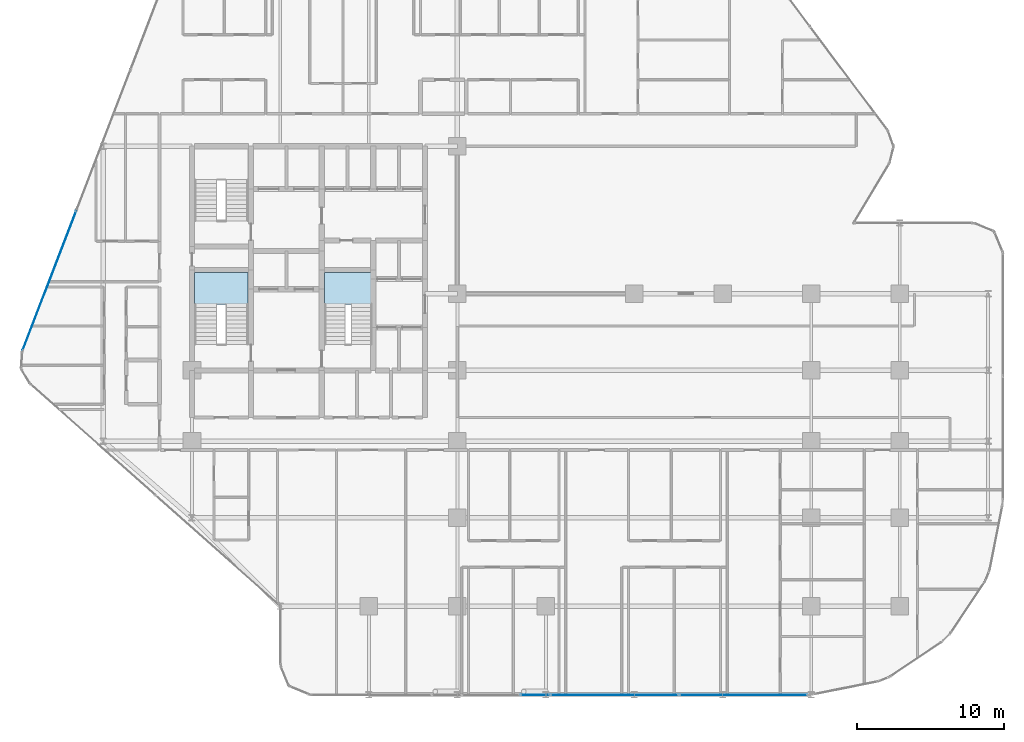
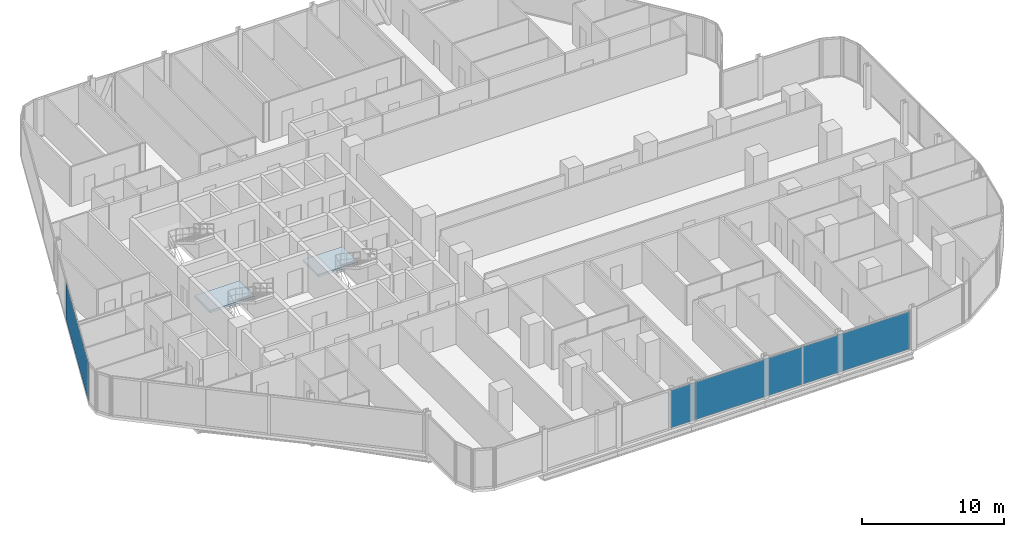
# One storey, part 21 of 33: 4 plates, 2 slabs, 5 elements without a shape of their own.
"""IFC4 building model written with IfcOpenShell, lengths in metres."""

from ifc_helpers import new_model, si_unit, direction, frame, origin, origin_2d, place, context, subcontext, project, spatial, polyline, rectangle, outline, extrude, material, layer, layer_set, type_object, element, aggregate, save


model = new_model("IFC4")

# Units and contexts
model_context = context("Model", 3, precision=1e-05, world=origin(), true_north=direction((0.0, 1.0)))
body_context = subcontext(model_context, "Body", "Model", "MODEL_VIEW")
ifc_project = project(units=[si_unit("LENGTHUNIT", "METRE"), si_unit("AREAUNIT", "SQUARE_METRE"), si_unit("VOLUMEUNIT", "CUBIC_METRE"), si_unit("PLANEANGLEUNIT", "RADIAN"), si_unit("MASSUNIT", "GRAM", prefix="KILO")], contexts=[model_context])

# Site, building, storey
site_placement = place(None, origin())
site = spatial("IfcSite", under=ifc_project, at=site_placement, CompositionType="ELEMENT")
building_placement = place(site_placement, origin())
building = spatial("IfcBuilding", under=site, at=building_placement, Name="Keshet Zoharim Tower", CompositionType="ELEMENT")
storey_placement = place(building_placement, frame((0.0, 0.0, 73.800048828125)))
storey = spatial("IfcBuildingStorey", under=building, at=storey_placement, Name="L17", CompositionType="ELEMENT", Elevation=73.800048828125)

# Curtain wall, plate
ifc_material_1 = material(Name="Aluminium 6063-T6", Category="aluminium")
ifc_layer_1 = layer(ifc_material_1, 0.179931640625)
ifc_layer_set_1 = layer_set([ifc_layer_1], Name="Aluminium 6063-T6")
curtain_wall_type = type_object("IfcCurtainWallType", Name="CW-SYS-01", PredefinedType="NOTDEFINED", material=ifc_layer_set_1)
curtain_wall_1_placement = place(storey_placement, origin())
curtain_wall_1 = element("IfcCurtainWall", 1, at=curtain_wall_1_placement, inside=storey, type_object=curtain_wall_type, Name="L17 Unitised Curtain Wall 04", PredefinedType="NOTDEFINED")
ifc_material_2 = material(Name="Insulated Low-E Clear Glass", Category="glass")
ifc_layer_2 = layer(ifc_material_2, 0.035888671875)
ifc_layer_set_2 = layer_set([ifc_layer_2], Name="Insulated Low-E Clear Glass")
plate_type_1 = type_object("IfcPlateType", Name="CWP-01", PredefinedType="CURTAIN_PANEL", material=ifc_layer_set_2)
plate_1_placement = place(storey_placement, frame((5.33837890625, 28.7802734375, 0.06982421875), z_axis=(0.0, 0.0, 1.0), x_axis=(0.358990003907, 0.933341404361, 0.0)))
plate_1 = element("IfcPlate", 2, at=plate_1_placement, type_object=plate_type_1, Name="CW-01 panel 1.1", PredefinedType="CURTAIN_PANEL", context=body_context, shape_type="SweptSolid", body=[
    extrude(rectangle(XDim=10.1181640625, YDim=0.035888671875, at=origin_2d()), origin(), (0.0, 0.0, 1.0), 3.2451171875),
])
aggregate(curtain_wall_1, [plate_1])

# Curtain wall, plates
curtain_wall_2_placement = place(storey_placement, origin())
curtain_wall_2 = element("IfcCurtainWall", 3, at=curtain_wall_2_placement, inside=storey, type_object=curtain_wall_type, Name="L17 Unitised Curtain Wall 26", PredefinedType="NOTDEFINED")
plate_2_placement = place(storey_placement, frame((52.400390625, 0.699951171875, 0.06982421875), z_axis=(0.0, 0.0, 1.0), x_axis=(-1.0, 0.0, 0.0)))
plate_2 = element("IfcPlate", 4, at=plate_2_placement, type_object=plate_type_1, Name="CW-01 panel 1.1", PredefinedType="CURTAIN_PANEL", context=body_context, shape_type="SweptSolid", body=[
    extrude(rectangle(XDim=8.665283203125, YDim=0.035888671875, at=origin_2d()), origin(), (0.0, 0.0, 1.0), 3.2451171875),
])
plate_3_placement = place(storey_placement, frame((43.665283203125, 0.699951171875, 0.06982421875), z_axis=(0.0, 0.0, 1.0), x_axis=(-1.0, 0.0, 0.0)))
plate_3 = element("IfcPlate", 5, at=plate_3_placement, type_object=plate_type_1, Name="CW-01 panel 2.1", PredefinedType="CURTAIN_PANEL", context=body_context, shape_type="SweptSolid", body=[
    extrude(rectangle(XDim=8.665283203125, YDim=0.035888671875, at=origin_2d()), origin(), (0.0, 0.0, 1.0), 3.2451171875),
])
aggregate(curtain_wall_2, [plate_2, plate_3])

# Curtain wall, plate
curtain_wall_3_placement = place(storey_placement, origin())
curtain_wall_3 = element("IfcCurtainWall", 6, at=curtain_wall_3_placement, inside=storey, type_object=curtain_wall_type, Name="L17 Unitised Curtain Wall 26 Part 2", PredefinedType="NOTDEFINED")
ifc_material_3 = material(Name="Insulated Aluminium Spandrel Panel", Category="aluminium")
ifc_layer_3 = layer(ifc_material_3, 0.035888671875)
ifc_layer_set_3 = layer_set([ifc_layer_3], Name="Insulated Aluminium Spandrel Panel")
plate_type_2 = type_object("IfcPlateType", Name="CWP-04", PredefinedType="CURTAIN_PANEL", material=ifc_layer_set_3)
plate_4_placement = place(storey_placement, frame((38.284912109375, 0.699951171875, 0.06982421875), z_axis=(0.0, 0.0, 1.0), x_axis=(-1.0, 0.0, 0.0)))
plate_4 = element("IfcPlate", 7, at=plate_4_placement, type_object=plate_type_2, Name="CW-01 spandrel panel 1.1", PredefinedType="CURTAIN_PANEL", context=body_context, shape_type="SweptSolid", body=[
    extrude(rectangle(XDim=1.955078125, YDim=0.035888671875, at=origin_2d()), origin(), (0.0, 0.0, 1.0), 3.2451171875),
])
aggregate(curtain_wall_3, [plate_4])

# Stair, slab
ifc_material_4 = material(Name="Concrete C50/60", Category="concrete")
stair_type = type_object("IfcStairType", Name="STR-EXIT-135", PredefinedType="HALF_TURN_STAIR", material=ifc_material_4)
stair_1_placement = place(storey_placement, origin())
stair_1 = element("IfcStair", 8, at=stair_1_placement, inside=storey, type_object=stair_type, Name="L17 Enclosed Exit Stair ST-01", PredefinedType="HALF_TURN_STAIR")
ifc_layer_4 = layer(ifc_material_4, 0.199951171875)
ifc_layer_set_4 = layer_set([ifc_layer_4], Name="Concrete C50/60")
slab_type = type_object("IfcSlabType", Name="SLB-LND-200", PredefinedType="LANDING", material=ifc_layer_set_4)
slab_1_placement = place(storey_placement, frame((0.0, 0.0, 1.64990234375)))
slab_1 = element("IfcSlab", 9, at=slab_1_placement, type_object=slab_type, Name="ST-01 landing 1", PredefinedType="LANDING", context=body_context, shape_type="SweptSolid", body=[
    extrude(outline(polyline([(15.179931640625, 27.159912109375), (18.820068359375, 27.159912109375), (18.820068359375, 29.320068359375), (15.179931640625, 29.320068359375), (15.179931640625, 27.159912109375)])), origin(), (0.0, 0.0, 1.0), 0.199951171875),
])
aggregate(stair_1, [slab_1])

stair_2_placement = place(storey_placement, origin())
stair_2 = element("IfcStair", 10, at=stair_2_placement, inside=storey, type_object=stair_type, Name="L17 Enclosed Exit Stair ST-03", PredefinedType="HALF_TURN_STAIR")
slab_2_placement = place(storey_placement, frame((0.0, 0.0, 1.64990234375)))
slab_2 = element("IfcSlab", 11, at=slab_2_placement, type_object=slab_type, Name="ST-03 landing 1", PredefinedType="LANDING", context=body_context, shape_type="SweptSolid", body=[
    extrude(outline(polyline([(23.97998046875, 27.159912109375), (27.219970703125, 27.159912109375), (27.219970703125, 29.320068359375), (23.97998046875, 29.320068359375), (23.97998046875, 27.159912109375)])), origin(), (0.0, 0.0, 1.0), 0.199951171875),
])
aggregate(stair_2, [slab_2])

save(model, "model.ifc")
